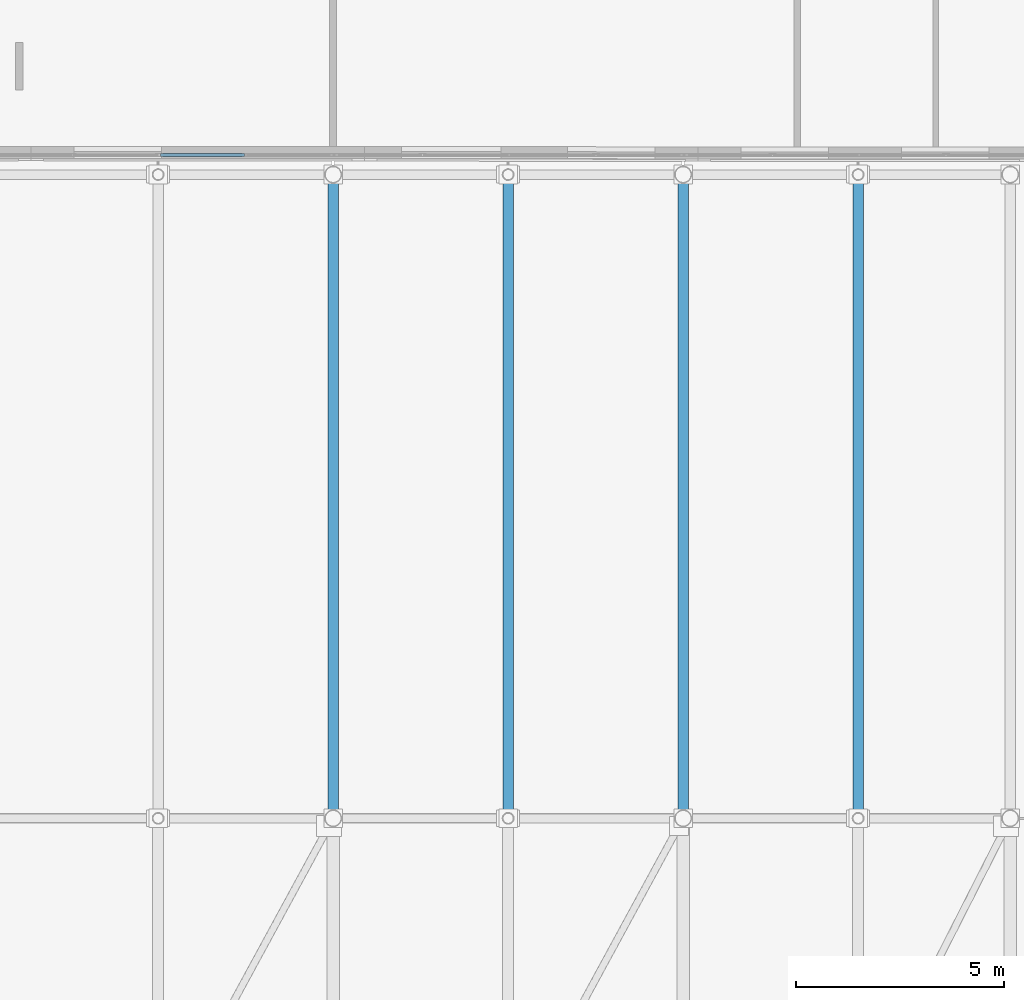
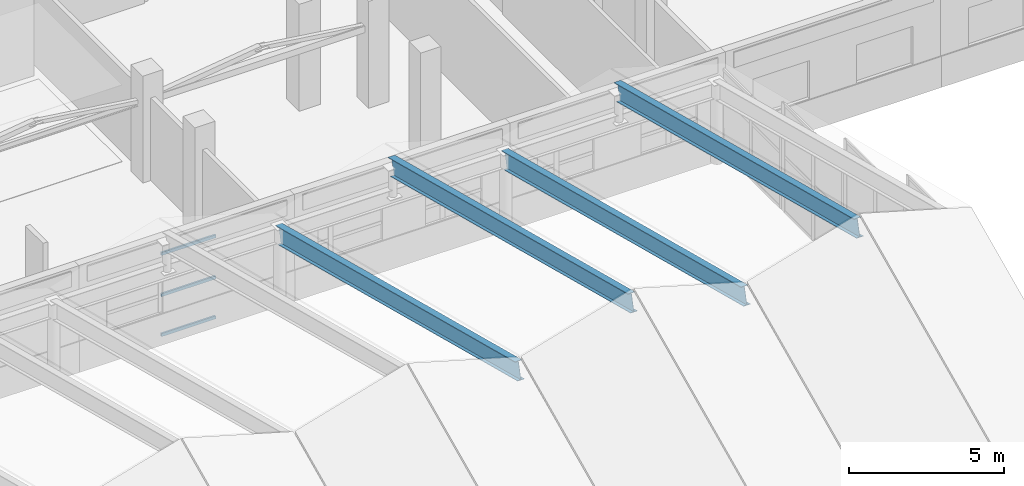
# One storey, part 86 of 184: 4 beams, 3 members, 1 element without a shape of its own.
"""IFC4 building model written with IfcOpenShell, lengths in metres."""

import ifcopenshell
import ifcopenshell.guid

model = None  # the IFC model being written
_history = None  # IfcOwnerHistory: only IFC2X3 demands one
_inside = {}  # id of a spatial element -> (the spatial element, [elements in it])
_under = {}  # id of a project, library or spatial element -> (it, [spatial elements below it])
_declared = {}  # id of a project -> (the project, [libraries it declares])
_typed = {}  # id of a type object -> (the type object, [elements of that type])
_made_of = {}  # id of a material, layer set ... -> (it, [elements and type objects made of it])


def new_model(schema):
    """Start an empty IFC model of exactly this schema.

    Asked for "IFC4X3", IfcOpenShell would pick the latest addendum, in which some entities
    have other attributes; the version numbers below select the first issue.
    IFC2X3 requires an IfcOwnerHistory on every rooted entity: one is made here for all.
    """
    global model, _history
    if schema == "IFC4X3":
        model = ifcopenshell.file(schema_version=(4, 3, 0, 0))
    else:
        model = ifcopenshell.file(schema=schema)
    _inside.clear()
    _under.clear()
    _declared.clear()
    _typed.clear()
    _made_of.clear()
    _history = None
    if model.schema == "IFC2X3":
        org = make("IfcOrganization", Name="unknown")
        user = make(
            "IfcPersonAndOrganization",
            ThePerson=make("IfcPerson", FamilyName="unknown"),
            TheOrganization=org,
        )
        app = make(
            "IfcApplication",
            ApplicationDeveloper=org,
            Version="unknown",
            ApplicationFullName="unknown",
            ApplicationIdentifier="unknown",
        )
        _history = make(
            "IfcOwnerHistory",
            OwningUser=user,
            OwningApplication=app,
            ChangeAction="ADDED",
            CreationDate=0,
        )
    return model


def make(cls, **values):
    """One entity of the class cls with the attributes given. An attribute that is None is left unset."""
    return model.create_entity(
        cls, **{name: value for name, value in values.items() if value is not None}
    )


def rooted(cls, **values):
    """An entity with a GlobalId (a new one), such as an element, a storey or a relation."""
    return make(cls, GlobalId=ifcopenshell.guid.new(), OwnerHistory=_history, **values)


def si_unit(unit_type, name, prefix=None):
    """IfcSIUnit, for example si_unit("LENGTHUNIT", "METRE", prefix="MILLI")."""
    return make("IfcSIUnit", UnitType=unit_type, Prefix=prefix, Name=name)


def assignment(units):
    """IfcUnitAssignment: the units of a project."""
    return None if units is None else make("IfcUnitAssignment", Units=units)


def point(xyz):
    """IfcCartesianPoint."""
    return None if xyz is None else make("IfcCartesianPoint", Coordinates=xyz)


def direction(xyz):
    """IfcDirection."""
    return None if xyz is None else make("IfcDirection", DirectionRatios=xyz)


def frame(location, z_axis=None, x_axis=None):
    """IfcAxis2Placement3D, a coordinate frame: its origin and axes. An axis left out is left unset."""
    return make(
        "IfcAxis2Placement3D",
        Location=point(location),
        Axis=direction(z_axis),
        RefDirection=direction(x_axis),
    )


def frame_2d(location, x_axis=None):
    """IfcAxis2Placement2D, a coordinate frame in the plane: its origin and x axis."""
    return make(
        "IfcAxis2Placement2D", Location=point(location), RefDirection=direction(x_axis)
    )


def origin():
    """The frame at (0, 0, 0) with its axes left unset."""
    return frame((0.0, 0.0, 0.0))


def origin_2d():
    """The frame at (0, 0) in the plane with its x axis left unset."""
    return frame_2d((0.0, 0.0))


def place(relative_to, where):
    """IfcLocalPlacement: puts the frame where relative to a parent placement (None: the world)."""
    return make(
        "IfcLocalPlacement", PlacementRelTo=relative_to, RelativePlacement=where
    )


def context(
    kind, dimensions, precision=None, world=None, true_north=None, identifier=None
):
    """IfcGeometricRepresentationContext, for example the 3D "Model" context."""
    return make(
        "IfcGeometricRepresentationContext",
        ContextIdentifier=identifier,
        ContextType=kind,
        CoordinateSpaceDimension=dimensions,
        Precision=precision,
        WorldCoordinateSystem=world,
        TrueNorth=true_north,
    )


def subcontext(parent, identifier, kind, view, scale=None):
    """IfcGeometricRepresentationSubContext, for example "Body" below "Model"."""
    return make(
        "IfcGeometricRepresentationSubContext",
        ContextIdentifier=identifier,
        ContextType=kind,
        ParentContext=parent,
        TargetScale=scale,
        TargetView=view,
    )


def project(units=None, contexts=None):
    """IfcProject with its units and contexts."""
    return rooted(
        "IfcProject",
        Name="project",
        RepresentationContexts=contexts,
        UnitsInContext=assignment(units),
    )


def spatial(cls, under=None, at=None, **own):
    """A site, building, storey or space (cls), placed at a placement, below another one or the project."""
    s = rooted(cls, ObjectPlacement=at, **own)
    if under is not None:
        _under.setdefault(under.id(), (under, []))[1].append(s)
    return s


def profile(cls, at=None, kind="AREA", **sizes):
    """A parametric profile (cls). Its sizes go by their IFC names, for example OverallWidth=200.0."""
    return make(cls, ProfileType=kind, Position=at, **sizes)


def hollow_rectangle(**sizes):
    """IfcRectangleHollowProfileDef."""
    return profile("IfcRectangleHollowProfileDef", **sizes)


def i_section(**sizes):
    """IfcIShapeProfileDef."""
    return profile("IfcIShapeProfileDef", **sizes)


def extrude(swept, where, along, depth):
    """IfcExtrudedAreaSolid: the profile swept, set in the frame where, extruded along a direction by depth."""
    return make(
        "IfcExtrudedAreaSolid",
        SweptArea=swept,
        Position=where,
        ExtrudedDirection=direction(along),
        Depth=depth,
    )


def shape(context_of_items, identifier, shape_type, items):
    """IfcShapeRepresentation: the items that make up one representation, for example the "Body"."""
    return make(
        "IfcShapeRepresentation",
        ContextOfItems=context_of_items,
        RepresentationIdentifier=identifier,
        RepresentationType=shape_type,
        Items=items,
    )


def material(Name=None, Category=None):
    """IfcMaterial."""
    return make("IfcMaterial", Name=Name, Category=Category)


def material_profile(
    of_material, cross_section, Name=None, Category=None, Priority=None
):
    """IfcMaterialProfile: a cross section and its material."""
    return make(
        "IfcMaterialProfile",
        Name=Name,
        Material=of_material,
        Profile=cross_section,
        Priority=Priority,
        Category=Category,
    )


def profile_set(profiles, Name=None, composite=None):
    """IfcMaterialProfileSet."""
    return make(
        "IfcMaterialProfileSet",
        Name=Name,
        MaterialProfiles=profiles,
        CompositeProfile=composite,
    )


def made_of(thing, what):
    """Note that an element or type object is made of a material, layer set ...; save() writes the relation."""
    if what is not None:
        _made_of.setdefault(what.id(), (what, []))[1].append(thing)
    return thing


def type_object(cls, material=None, **own):
    """A type object (cls), such as IfcWallType, which elements share."""
    return made_of(rooted(cls, **own), material)


def element(
    cls,
    number,
    at=None,
    inside=None,
    cuts=None,
    type_object=None,
    material=None,
    context=None,
    identifier="Body",
    shape_type=None,
    held_by="IfcProductDefinitionShape",
    body=None,
    shapes=None,
    **own,
):
    """One element of the class cls, such as IfcWall. Its Tag is "e" and its number.

    at: its placement. inside: the storey or other place that contains it. cuts: it is an
    opening in that element (IfcRelVoidsElement). A single representation is given by context,
    identifier, shape_type and body (its items); several are given by shapes. held_by: the class
    of the entity that holds the representations. save() writes the other relations.
    """
    e = rooted(cls, Tag="e%d" % number, ObjectPlacement=at, **own)
    if body is not None:
        shapes = [shape(context, identifier, shape_type, body)]
    if shapes is not None:
        e.Representation = make(held_by, Representations=shapes)
    if inside is not None:
        _inside.setdefault(inside.id(), (inside, []))[1].append(e)
    if cuts is not None:
        rooted(
            "IfcRelVoidsElement", RelatingBuildingElement=cuts, RelatedOpeningElement=e
        )
    if type_object is not None:
        _typed.setdefault(type_object.id(), (type_object, []))[1].append(e)
    return made_of(e, material)


def aggregate(whole, parts):
    """IfcRelAggregates: a whole, such as a stair, and the parts it consists of."""
    return rooted("IfcRelAggregates", RelatingObject=whole, RelatedObjects=parts)


def save(model, path):
    """Write the relations noted so far, then the file.

    IfcRelAggregates (storeys below a building ...), IfcRelContainedInSpatialStructure (elements
    in a storey), IfcRelDefinesByType, IfcRelAssociatesMaterial and IfcRelDeclares: one each for
    every whole, place, type object, material and project.
    """
    for whole, parts in _under.values():
        aggregate(whole, parts)
    for where, things in _inside.values():
        rooted(
            "IfcRelContainedInSpatialStructure",
            RelatedElements=things,
            RelatingStructure=where,
        )
    for kind, things in _typed.values():
        rooted("IfcRelDefinesByType", RelatedObjects=things, RelatingType=kind)
    for what, things in _made_of.values():
        rooted("IfcRelAssociatesMaterial", RelatedObjects=things, RelatingMaterial=what)
    for by, libraries in _declared.values():
        rooted("IfcRelDeclares", RelatingContext=by, RelatedDefinitions=libraries)
    model.write(path)


model = new_model("IFC4")

# Units and contexts
model_context = context("Model", 3, precision=1e-05, world=origin(), true_north=direction((0.0, 1.0)))
body_context = subcontext(model_context, "Body", "Model", "MODEL_VIEW")
ifc_project = project(units=[si_unit("LENGTHUNIT", "METRE"), si_unit("AREAUNIT", "SQUARE_METRE"), si_unit("VOLUMEUNIT", "CUBIC_METRE"), si_unit("PLANEANGLEUNIT", "RADIAN"), si_unit("MASSUNIT", "GRAM", prefix="KILO")], contexts=[model_context])

# Site, building, storey
site_placement = place(None, origin())
site = spatial("IfcSite", under=ifc_project, at=site_placement, CompositionType="ELEMENT")
building_placement = place(site_placement, origin())
building = spatial("IfcBuilding", under=site, at=building_placement, Name="Selatvlak General Hospital", CompositionType="ELEMENT")
storey_placement = place(building_placement, frame((0.0, 0.0, 15.0)))
storey = spatial("IfcBuildingStorey", under=building, at=storey_placement, Name="L03", CompositionType="ELEMENT", Elevation=15.0)

# Beams
ifc_material_1 = material(Name="Steel S355", Category="steel")
ifc_material_profile_1 = material_profile(ifc_material_1, i_section(OverallWidth=0.253662109375, OverallDepth=0.68359375, WebThickness=0.012451171875, FlangeThickness=0.01904296875, at=origin_2d()), Name="UB 686x254x140")
ifc_profile_set_1 = profile_set([ifc_material_profile_1], Name="Steel S355")
beam_type = type_object("IfcBeamType", Name="BM-RF3", PredefinedType="BEAM", material=ifc_profile_set_1)
for number, where, z_axis, x_axis, name in (
    (1, (64.800048828125, 68.0, 6.8330078125), (0.0, 0.968081216491, -0.250636705766), (-1.0, 0.0, 0.0), "Folded roof north rafter 11"),
    (2, (69.0, 68.0, 8.032958984375), (0.0, 0.968081216491, -0.250636705766), (-1.0, 0.0, 0.0), "Folded roof north rafter 12"),
    (3, (73.199951171875, 68.0, 6.8330078125), (0.0, 0.968081216491, -0.250636705766), (-1.0, 0.0, 0.0), "Folded roof north rafter 13"),
    (4, (77.39990234375, 68.0, 8.032958984375), (0.0, 0.968081216491, -0.250636705766), (-1.0, 0.0, 0.0), "Folded roof north rafter 14"),
):
    element("IfcBeam", number, at=place(storey_placement, frame(where, z_axis=z_axis, x_axis=x_axis)), inside=storey, type_object=beam_type, Name=name, PredefinedType="BEAM", context=body_context, shape_type="SweptSolid", body=[
        extrude(i_section(OverallWidth=0.253662109375, OverallDepth=0.68359375, WebThickness=0.012451171875, FlangeThickness=0.01904296875, at=origin_2d()), origin(), (0.0, 0.0, 1.0), 15.95947265625),
    ])

# Curtain wall, members
ifc_material_2 = material(Name="Solar-control Low-E double glazing", Category="glass")
curtain_wall_type = type_object("IfcCurtainWallType", Name="CW-CW-04", PredefinedType="USERDEFINED", material=ifc_material_2)
curtain_wall_placement = place(storey_placement, origin())
curtain_wall = element("IfcCurtainWall", 5, at=curtain_wall_placement, inside=storey, type_object=curtain_wall_type, Name="Glazed facade curtain wall CW-L03-0720", ObjectType="STICK GLAZING WALL", PredefinedType="USERDEFINED")
ifc_material_3 = material(Name="Dark anodised aluminium mullion", Category="aluminium")
ifc_material_profile_2 = material_profile(ifc_material_3, hollow_rectangle(XDim=0.06494140625, YDim=0.1201171875, WallThickness=0.00390625, at=origin_2d()), Name="AL-TRN 65x120x4")
ifc_profile_set_2 = profile_set([ifc_material_profile_2], Name="Dark anodised aluminium mullion")
member_type = type_object("IfcMemberType", Name="CWT-01", PredefinedType="USERDEFINED", material=ifc_profile_set_2)
member_1_placement = place(storey_placement, frame((60.657470703125, 83.919921875, 0.032470703125), z_axis=(1.0, 0.0, 0.0), x_axis=(0.0, 1.0, 0.0)))
member_1 = element("IfcMember", 6, at=member_1_placement, type_object=member_type, Name="CW-04 transom 3.1", ObjectType="TRANSOM", PredefinedType="USERDEFINED", context=body_context, shape_type="SweptSolid", body=[
    extrude(hollow_rectangle(XDim=0.06494140625, YDim=0.1201171875, WallThickness=0.00390625, at=origin_2d()), origin(), (0.0, 0.0, 1.0), 2.01513671875),
])
member_2_placement = place(storey_placement, frame((60.657470703125, 83.919921875, 1.60009765625), z_axis=(1.0, 0.0, 0.0), x_axis=(0.0, 1.0, 0.0)))
member_2 = element("IfcMember", 7, at=member_2_placement, type_object=member_type, Name="CW-04 transom 3.2", ObjectType="TRANSOM", PredefinedType="USERDEFINED", context=body_context, shape_type="SweptSolid", body=[
    extrude(hollow_rectangle(XDim=0.06494140625, YDim=0.1201171875, WallThickness=0.00390625, at=origin_2d()), origin(), (0.0, 0.0, 1.0), 2.01513671875),
])
member_3_placement = place(storey_placement, frame((60.657470703125, 83.919921875, 3.217529296875), z_axis=(1.0, 0.0, 0.0), x_axis=(0.0, 1.0, 0.0)))
member_3 = element("IfcMember", 8, at=member_3_placement, type_object=member_type, Name="CW-04 transom 3.3", ObjectType="TRANSOM", PredefinedType="USERDEFINED", context=body_context, shape_type="SweptSolid", body=[
    extrude(hollow_rectangle(XDim=0.06494140625, YDim=0.1201171875, WallThickness=0.00390625, at=origin_2d()), origin(), (0.0, 0.0, 1.0), 2.01513671875),
])
aggregate(curtain_wall, [member_1, member_2, member_3])

save(model, "model.ifc")
